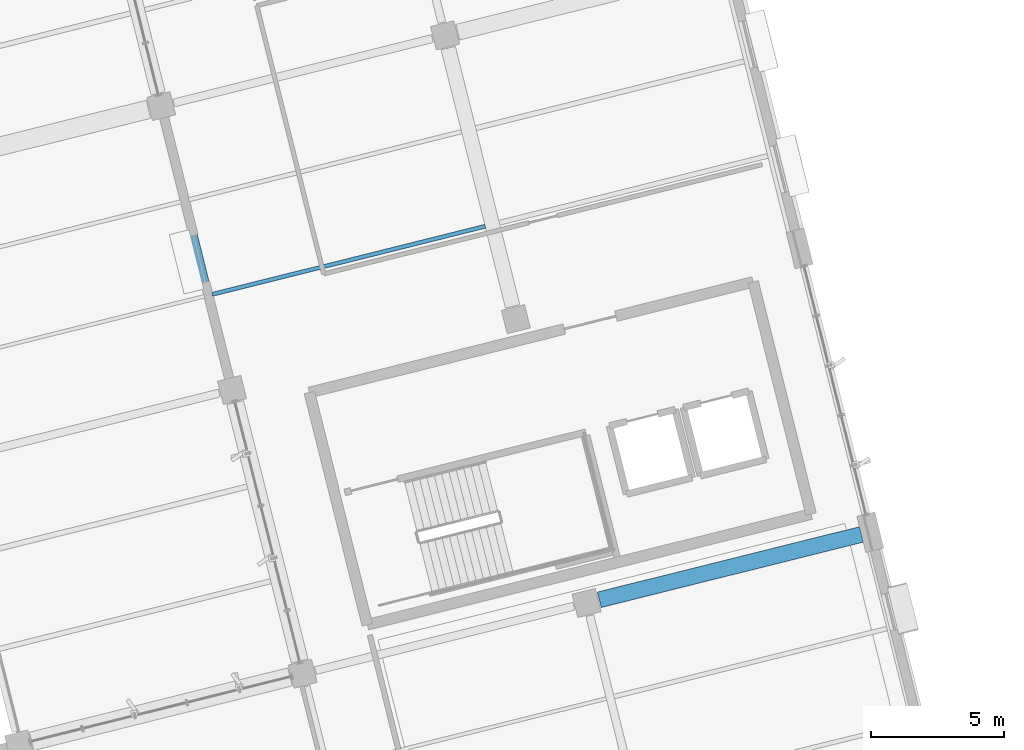
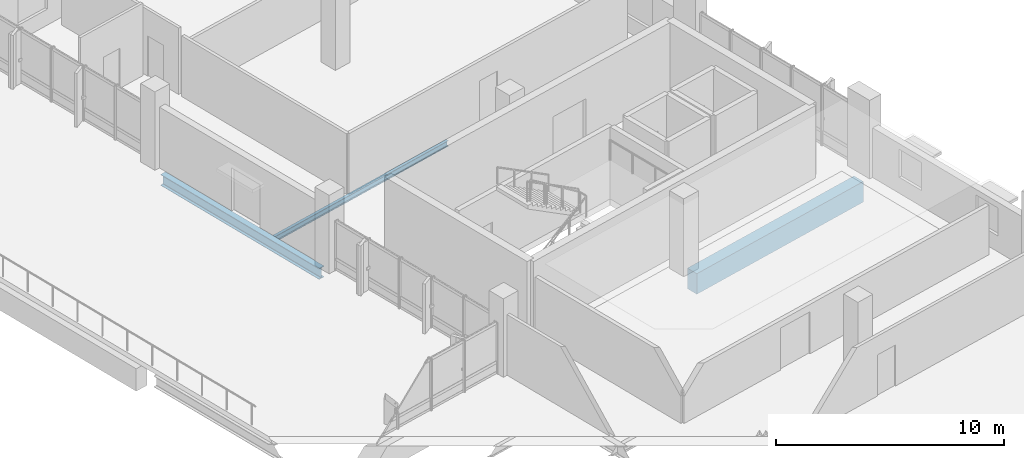
# One storey, part 18 of 42: 3 beams.
"""IFC4 building model written with IfcOpenShell, lengths in metres."""

from ifc_helpers import new_model, si_unit, direction, frame, origin, origin_2d, place, context, subcontext, project, spatial, rectangle, i_section, extrude, material, material_profile, profile_set, type_object, element, save


model = new_model("IFC4")

# Units and contexts
model_context = context("Model", 3, precision=1e-05, world=origin(), true_north=direction((0.0, 1.0)))
body_context = subcontext(model_context, "Body", "Model", "MODEL_VIEW")
ifc_project = project(units=[si_unit("LENGTHUNIT", "METRE"), si_unit("AREAUNIT", "SQUARE_METRE"), si_unit("VOLUMEUNIT", "CUBIC_METRE"), si_unit("PLANEANGLEUNIT", "RADIAN"), si_unit("MASSUNIT", "GRAM", prefix="KILO")], contexts=[model_context])

# Site, building, storey
site_placement = place(None, origin())
site = spatial("IfcSite", under=ifc_project, at=site_placement, CompositionType="ELEMENT")
building_placement = place(site_placement, origin())
building = spatial("IfcBuilding", under=site, at=building_placement, Name="Khorjan Park Terminus", CompositionType="ELEMENT")
storey_placement = place(building_placement, frame((0.0, 0.0, 20.4)))
storey = spatial("IfcBuildingStorey", under=building, at=storey_placement, Name="L04", CompositionType="ELEMENT", Elevation=20.4)

# Beams
ifc_material_1 = material(Name="Steel S355", Category="steel")
ifc_material_profile_1 = material_profile(ifc_material_1, i_section(OverallWidth=0.3, OverallDepth=0.59, WebThickness=0.013, FlangeThickness=0.025, FilletRadius=0.027, at=origin_2d()), Name="HEA 600")
ifc_profile_set_1 = profile_set([ifc_material_profile_1], Name="Steel S355")
beam_type_1 = type_object("IfcBeamType", Name="BM-HEA600", PredefinedType="BEAM", material=ifc_profile_set_1)
beam_1_placement = place(storey_placement, frame((200.5898, 45.1446, -0.635), z_axis=(-0.241917372283, 0.970296854054, 0.0), x_axis=(-0.970296854054, -0.241917372283, 0.0)))
element("IfcBeam", 1, at=beam_1_placement, inside=storey, type_object=beam_type_1, Name="Primary skew-grid floor girder SB-A60 (L04)", PredefinedType="BEAM", context=body_context, shape_type="SweptSolid", body=[
    extrude(i_section(OverallWidth=0.3, OverallDepth=0.59, WebThickness=0.013, FlangeThickness=0.025, FilletRadius=0.027, at=origin_2d()), origin(), (0.0, 0.0, 1.0), 10.01),
])
ifc_material_2 = material(Name="Concrete C40/50", Category="concrete")
ifc_material_profile_2 = material_profile(ifc_material_2, rectangle(XDim=0.6, YDim=1.1, at=origin_2d()), Name="RC 600x1100")
ifc_profile_set_2 = profile_set([ifc_material_profile_2], Name="Concrete C40/50")
beam_type_2 = type_object("IfcBeamType", Name="BM-RC600x1100", PredefinedType="BEAM", material=ifc_profile_set_2)
beam_2_placement = place(storey_placement, frame((214.5243, 36.772, -0.89), z_axis=(0.97029631121, 0.241919549545, 0.0), x_axis=(-0.241919549545, 0.97029631121, 0.0)))
element("IfcBeam", 2, at=beam_2_placement, inside=storey, type_object=beam_type_2, Name="Primary skew-grid floor girder GB-11 (L04)", PredefinedType="BEAM", context=body_context, shape_type="SweptSolid", body=[
    extrude(rectangle(XDim=0.6, YDim=1.1, at=origin_2d()), origin(), (0.0, 0.0, 1.0), 10.16),
])
ifc_material_profile_3 = material_profile(ifc_material_1, i_section(OverallWidth=0.15, OverallDepth=0.3, WebThickness=0.0071, FlangeThickness=0.0107, FilletRadius=0.015, at=origin_2d()), Name="IPE 300")
ifc_profile_set_3 = profile_set([ifc_material_profile_3], Name="Steel S355")
beam_type_3 = type_object("IfcBeamType", Name="JS-IPE300", PredefinedType="JOIST", material=ifc_profile_set_3)
beam_3_placement = place(storey_placement, frame((199.9681, 48.2584, -0.49), z_axis=(0.970296385626, 0.241919251074, 0.0), x_axis=(-0.241919251074, 0.970296385626, 0.0)))
element("IfcBeam", 3, at=beam_3_placement, inside=storey, type_object=beam_type_3, Name="Secondary composite floor joist SJ-30 (L04)", PredefinedType="JOIST", context=body_context, shape_type="SweptSolid", body=[
    extrude(i_section(OverallWidth=0.15, OverallDepth=0.3, WebThickness=0.0071, FlangeThickness=0.0107, FilletRadius=0.015, at=origin_2d()), origin(), (0.0, 0.0, 1.0), 10.575),
])

save(model, "model.ifc")
